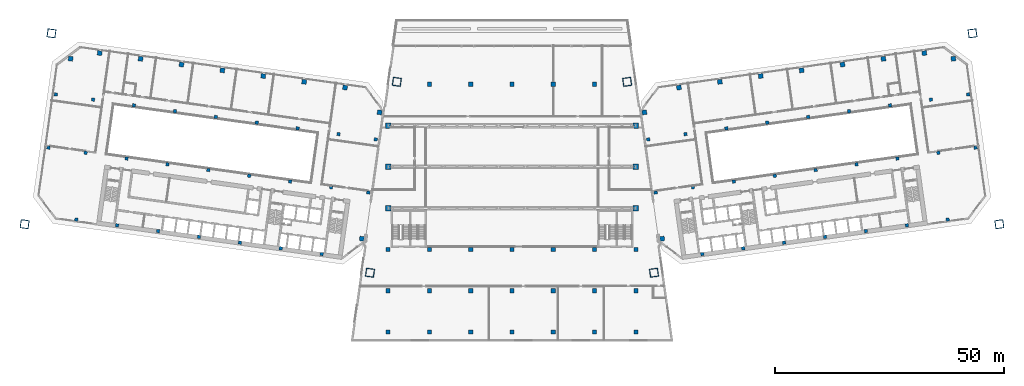
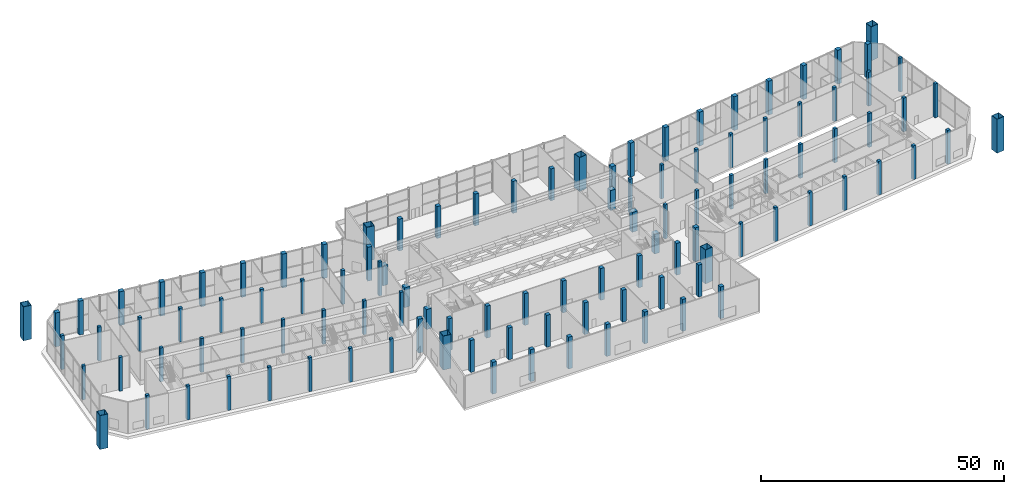
# One storey, part 1 of 31: 110 columns.
"""IFC4 building model written with IfcOpenShell, lengths in metres."""

from ifc_helpers import new_model, si_unit, direction, frame, origin, origin_2d, place, context, subcontext, project, spatial, rectangle, hollow_rectangle, extrude, material, material_profile, profile_set, type_object, element, save


model = new_model("IFC4")

# Units and contexts
model_context = context("Model", 3, precision=1e-05, world=origin(), true_north=direction((0.0, 1.0)))
body_context = subcontext(model_context, "Body", "Model", "MODEL_VIEW")
ifc_project = project(units=[si_unit("LENGTHUNIT", "METRE"), si_unit("AREAUNIT", "SQUARE_METRE"), si_unit("VOLUMEUNIT", "CUBIC_METRE"), si_unit("PLANEANGLEUNIT", "RADIAN"), si_unit("MASSUNIT", "GRAM", prefix="KILO")], contexts=[model_context])

# Site, building, storey
site_placement = place(None, origin())
site = spatial("IfcSite", under=ifc_project, at=site_placement, CompositionType="ELEMENT")
building_placement = place(site_placement, origin())
building = spatial("IfcBuilding", under=site, at=building_placement, Name="Mirante Cascada Hotel Towers", CompositionType="ELEMENT")
storey_placement = place(building_placement, frame((0.0, 0.0, 9.0)))
storey = spatial("IfcBuildingStorey", under=building, at=storey_placement, Name="L01", CompositionType="ELEMENT", Elevation=9.0)

# Columns
ifc_material_1 = material(Name="Steel ASTM A572 Gr 50", Category="steel")
ifc_material_profile_1 = material_profile(ifc_material_1, hollow_rectangle(XDim=1.8, YDim=1.8, WallThickness=0.08, at=origin_2d()), Name="Box column 1800x1800x80 ASTM A572 Gr 50")
ifc_profile_set_1 = profile_set([ifc_material_profile_1], Name="Steel ASTM A572 Gr 50")
column_type_1 = type_object("IfcColumnType", Name="Box column 1800x1800x80 ASTM A572 Gr 50", PredefinedType="COLUMN", material=ifc_profile_set_1)
for number, where, z_axis, x_axis, name in (
    (1, (-25.0968, 18.5173, 0.0), (0.0, 0.0, 1.0), (-0.9902681, 0.1391731, 0.0), "Mega column MC1 T1 L01"),
    (2, (-30.9421, -23.074, 0.0), (0.0, 0.0, 1.0), (-0.9902681, 0.1391731, 0.0), "Mega column MC2 T1 L01"),
    (3, (-100.3572, 29.0944, 0.0), (0.0, 0.0, 1.0), (-0.9902681, 0.1391731, 0.0), "Mega column MC3 T1 L01"),
    (4, (-106.2025, -12.4968, 0.0), (0.0, 0.0, 1.0), (-0.9902681, 0.1391731, 0.0), "Mega column MC4 T1 L01"),
    (5, (25.0968, 18.5173, 0.0), (0.0, 0.0, 1.0), (0.9902681, 0.1391731, 0.0), "Mega column MC1 T2 L01"),
    (6, (30.9421, -23.074, 0.0), (0.0, 0.0, 1.0), (0.9902681, 0.1391731, 0.0), "Mega column MC2 T2 L01"),
    (7, (100.3572, 29.0944, 0.0), (0.0, 0.0, 1.0), (0.9902681, 0.1391731, 0.0), "Mega column MC3 T2 L01"),
    (8, (106.2025, -12.4968, 0.0), (0.0, 0.0, 1.0), (0.9902681, 0.1391731, 0.0), "Mega column MC4 T2 L01"),
):
    element("IfcColumn", number, at=place(storey_placement, frame(where, z_axis=z_axis, x_axis=x_axis)), inside=storey, type_object=column_type_1, Name=name, PredefinedType="COLUMN", context=body_context, shape_type="SweptSolid", body=[
        extrude(hollow_rectangle(XDim=1.8, YDim=1.8, WallThickness=0.08, at=origin_2d()), origin(), (0.0, 0.0, 1.0), 8.5),
    ])
ifc_material_2 = material(Name="Concrete C50/60", Category="concrete")
ifc_material_profile_2 = material_profile(ifc_material_2, rectangle(XDim=1.2, YDim=1.2, at=origin_2d()), Name="RC 1200x1200")
ifc_profile_set_2 = profile_set([ifc_material_profile_2], Name="Concrete C50/60")
column_type_2 = type_object("IfcColumnType", Name="Column RC 1200x1200 C50/60", PredefinedType="COLUMN", material=ifc_profile_set_2)
for number, where, z_axis, x_axis, name in (
    (9, (-27.0, -9.0, 0.0), (0.0, 0.0, 1.0), (1.0, 0.0, 0.0), "col:P:L01:172"),
    (10, (27.0, -9.0, 0.0), (0.0, 0.0, 1.0), (1.0, 0.0, 0.0), "col:P:L01:215"),
    (11, (-27.0, 0.0, 0.0), (0.0, 0.0, 1.0), (1.0, 0.0, 0.0), "col:P:L01:223"),
    (12, (27.0, 0.0, 0.0), (0.0, 0.0, 1.0), (1.0, 0.0, 0.0), "col:P:L01:266"),
    (13, (-27.0, 9.0, 0.0), (0.0, 0.0, 1.0), (1.0, 0.0, 0.0), "col:P:L01:274"),
    (14, (27.0, 9.0, 0.0), (0.0, 0.0, 1.0), (1.0, 0.0, 0.0), "col:P:L01:305"),
):
    element("IfcColumn", number, at=place(storey_placement, frame(where, z_axis=z_axis, x_axis=x_axis)), inside=storey, type_object=column_type_2, Name=name, PredefinedType="COLUMN", context=body_context, shape_type="SweptSolid", body=[
        extrude(rectangle(XDim=1.2, YDim=1.2, at=origin_2d()), origin(), (0.0, 0.0, 1.0), 5.0),
    ])
ifc_material_3 = material(Name="Concrete C50/60", Category="concrete")
ifc_material_profile_3 = material_profile(ifc_material_3, rectangle(XDim=0.9, YDim=0.9, at=origin_2d()), Name="RC 900x900")
ifc_profile_set_3 = profile_set([ifc_material_profile_3], Name="Concrete C50/60")
column_type_3 = type_object("IfcColumnType", Name="Column RC 900x900 C50/60", PredefinedType="COLUMN", material=ifc_profile_set_3)
for number, where, z_axis, x_axis, name in (
    (15, (-27.0, -36.0, 0.0), (0.0, 0.0, 1.0), (1.0, 0.0, 0.0), "col:P:L01:4"),
    (16, (-18.0, -36.0, 0.0), (0.0, 0.0, 1.0), (1.0, 0.0, 0.0), "col:P:L01:12"),
    (17, (-9.0, -36.0, 0.0), (0.0, 0.0, 1.0), (1.0, 0.0, 0.0), "col:P:L01:20"),
    (18, (0.0, -36.0, 0.0), (0.0, 0.0, 1.0), (1.0, 0.0, 0.0), "col:P:L01:28"),
    (19, (9.0, -36.0, 0.0), (0.0, 0.0, 1.0), (1.0, 0.0, 0.0), "col:P:L01:36"),
    (20, (18.0, -36.0, 0.0), (0.0, 0.0, 1.0), (1.0, 0.0, 0.0), "col:P:L01:44"),
    (21, (27.0, -36.0, 0.0), (0.0, 0.0, 1.0), (1.0, 0.0, 0.0), "col:P:L01:52"),
    (22, (-27.0, -27.0, 0.0), (0.0, 0.0, 1.0), (1.0, 0.0, 0.0), "col:P:L01:60"),
    (23, (-18.0, -27.0, 0.0), (0.0, 0.0, 1.0), (1.0, 0.0, 0.0), "col:P:L01:68"),
    (24, (-9.0, -27.0, 0.0), (0.0, 0.0, 1.0), (1.0, 0.0, 0.0), "col:P:L01:76"),
    (25, (0.0, -27.0, 0.0), (0.0, 0.0, 1.0), (1.0, 0.0, 0.0), "col:P:L01:84"),
    (26, (9.0, -27.0, 0.0), (0.0, 0.0, 1.0), (1.0, 0.0, 0.0), "col:P:L01:92"),
    (27, (18.0, -27.0, 0.0), (0.0, 0.0, 1.0), (1.0, 0.0, 0.0), "col:P:L01:100"),
    (28, (27.0, -27.0, 0.0), (0.0, 0.0, 1.0), (1.0, 0.0, 0.0), "col:P:L01:108"),
    (29, (-27.0, -18.0, 0.0), (0.0, 0.0, 1.0), (1.0, 0.0, 0.0), "col:P:L01:116"),
    (30, (-18.0, -18.0, 0.0), (0.0, 0.0, 1.0), (1.0, 0.0, 0.0), "col:P:L01:124"),
    (31, (-9.0, -18.0, 0.0), (0.0, 0.0, 1.0), (1.0, 0.0, 0.0), "col:P:L01:132"),
    (32, (0.0, -18.0, 0.0), (0.0, 0.0, 1.0), (1.0, 0.0, 0.0), "col:P:L01:140"),
    (33, (9.0, -18.0, 0.0), (0.0, 0.0, 1.0), (1.0, 0.0, 0.0), "col:P:L01:148"),
    (34, (18.0, -18.0, 0.0), (0.0, 0.0, 1.0), (1.0, 0.0, 0.0), "col:P:L01:156"),
    (35, (27.0, -18.0, 0.0), (0.0, 0.0, 1.0), (1.0, 0.0, 0.0), "col:P:L01:164"),
    (36, (-18.0, 18.0, 0.0), (0.0, 0.0, 1.0), (1.0, 0.0, 0.0), "col:P:L01:311"),
    (37, (-9.0, 18.0, 0.0), (0.0, 0.0, 1.0), (1.0, 0.0, 0.0), "col:P:L01:316"),
    (38, (0.0, 18.0, 0.0), (0.0, 0.0, 1.0), (1.0, 0.0, 0.0), "col:P:L01:321"),
    (39, (9.0, 18.0, 0.0), (0.0, 0.0, 1.0), (1.0, 0.0, 0.0), "col:P:L01:326"),
    (40, (18.0, 18.0, 0.0), (0.0, 0.0, 1.0), (1.0, 0.0, 0.0), "col:P:L01:331"),
):
    element("IfcColumn", number, at=place(storey_placement, frame(where, z_axis=z_axis, x_axis=x_axis)), inside=storey, type_object=column_type_3, Name=name, PredefinedType="COLUMN", context=body_context, shape_type="SweptSolid", body=[
        extrude(rectangle(XDim=0.9, YDim=0.9, at=origin_2d()), origin(), (0.0, 0.0, 1.0), 8.0),
    ])
ifc_material_4 = material(Name="Concrete C60/75", Category="concrete")
ifc_material_profile_4 = material_profile(ifc_material_4, rectangle(XDim=1.0, YDim=1.0, at=origin_2d()), Name="RC column 1000x1000 C60/75")
ifc_profile_set_4 = profile_set([ifc_material_profile_4], Name="Concrete C60/75")
column_type_4 = type_object("IfcColumnType", Name="RC column 1000x1000 C60/75", PredefinedType="COLUMN", material=ifc_profile_set_4)
for number, where, z_axis, x_axis, name in (
    (41, (-28.8577, 11.8761, 0.0), (0.0, 0.0, 1.0), (-0.9902681, 0.1391731, 0.0), "Column T1 L01 1"),
    (42, (-32.7267, -15.6534, 0.0), (0.0, 0.0, 1.0), (-0.9902681, 0.1391731, 0.0), "Column T1 L01 4"),
    (43, (-36.3795, 17.2754, 0.0), (0.0, 0.0, 1.0), (-0.9902681, 0.1391731, 0.0), "Column T1 L01 5"),
    (44, (-45.2919, 18.528, 0.0), (0.0, 0.0, 1.0), (-0.9902681, 0.1391731, 0.0), "Column T1 L01 9"),
    (45, (-54.2043, 19.7806, 0.0), (0.0, 0.0, 1.0), (-0.9902681, 0.1391731, 0.0), "Column T1 L01 13"),
    (46, (-63.1167, 21.0331, 0.0), (0.0, 0.0, 1.0), (-0.9902681, 0.1391731, 0.0), "Column T1 L01 17"),
    (47, (-72.0291, 22.2857, 0.0), (0.0, 0.0, 1.0), (-0.9902681, 0.1391731, 0.0), "Column T1 L01 21"),
    (48, (-80.9415, 23.5382, 0.0), (0.0, 0.0, 1.0), (-0.9902681, 0.1391731, 0.0), "Column T1 L01 25"),
    (49, (-89.8539, 24.7908, 0.0), (0.0, 0.0, 1.0), (-0.9902681, 0.1391731, 0.0), "Column T1 L01 29"),
    (50, (-96.1868, 23.5602, 0.0), (0.0, 0.0, 1.0), (-0.9902681, 0.1391731, 0.0), "Column T1 L01 33"),
    (51, (28.8577, 11.8761, 0.0), (0.0, 0.0, 1.0), (0.9902681, 0.1391731, 0.0), "Column T2 L01 1"),
    (52, (32.7267, -15.6534, 0.0), (0.0, 0.0, 1.0), (0.9902681, 0.1391731, 0.0), "Column T2 L01 4"),
    (53, (36.3795, 17.2754, 0.0), (0.0, 0.0, 1.0), (0.9902681, 0.1391731, 0.0), "Column T2 L01 5"),
    (54, (45.2919, 18.528, 0.0), (0.0, 0.0, 1.0), (0.9902681, 0.1391731, 0.0), "Column T2 L01 9"),
    (55, (54.2043, 19.7806, 0.0), (0.0, 0.0, 1.0), (0.9902681, 0.1391731, 0.0), "Column T2 L01 13"),
    (56, (63.1167, 21.0331, 0.0), (0.0, 0.0, 1.0), (0.9902681, 0.1391731, 0.0), "Column T2 L01 17"),
    (57, (72.0291, 22.2857, 0.0), (0.0, 0.0, 1.0), (0.9902681, 0.1391731, 0.0), "Column T2 L01 21"),
    (58, (80.9415, 23.5382, 0.0), (0.0, 0.0, 1.0), (0.9902681, 0.1391731, 0.0), "Column T2 L01 25"),
    (59, (89.8539, 24.7908, 0.0), (0.0, 0.0, 1.0), (0.9902681, 0.1391731, 0.0), "Column T2 L01 29"),
    (60, (96.1868, 23.5602, 0.0), (0.0, 0.0, 1.0), (0.9902681, 0.1391731, 0.0), "Column T2 L01 33"),
):
    element("IfcColumn", number, at=place(storey_placement, frame(where, z_axis=z_axis, x_axis=x_axis)), inside=storey, type_object=column_type_4, Name=name, PredefinedType="COLUMN", context=body_context, shape_type="SweptSolid", body=[
        extrude(rectangle(XDim=1.0, YDim=1.0, at=origin_2d()), origin(), (0.0, 0.0, 1.0), 8.5),
    ])
ifc_material_5 = material(Name="Concrete C60/75", Category="concrete")
ifc_material_profile_5 = material_profile(ifc_material_5, rectangle(XDim=0.7, YDim=0.7, at=origin_2d()), Name="RC column 700x700 C60/75")
ifc_profile_set_5 = profile_set([ifc_material_profile_5], Name="Concrete C60/75")
column_type_5 = type_object("IfcColumnType", Name="RC column 700x700 C60/75", PredefinedType="COLUMN", material=ifc_profile_set_5)
for number, where, z_axis, x_axis, name in (
    (61, (-29.6858, 5.984, 0.0), (0.0, 0.0, 1.0), (-0.9902681, 0.1391731, 0.0), "Column T1 L01 2"),
    (62, (-31.3141, -5.6022, 0.0), (0.0, 0.0, 1.0), (-0.9902681, 0.1391731, 0.0), "Column T1 L01 3"),
    (63, (-37.806, 7.1252, 0.0), (0.0, 0.0, 1.0), (-0.9902681, 0.1391731, 0.0), "Column T1 L01 6"),
    (64, (-39.4343, -4.4609, 0.0), (0.0, 0.0, 1.0), (-0.9902681, 0.1391731, 0.0), "Column T1 L01 7"),
    (65, (-41.4802, -19.0179, 0.0), (0.0, 0.0, 1.0), (-0.9902681, 0.1391731, 0.0), "Column T1 L01 8"),
    (66, (-46.7184, 8.3777, 0.0), (0.0, 0.0, 1.0), (-0.9902681, 0.1391731, 0.0), "Column T1 L01 10"),
    (67, (-48.3467, -3.2084, 0.0), (0.0, 0.0, 1.0), (-0.9902681, 0.1391731, 0.0), "Column T1 L01 11"),
    (68, (-50.3926, -17.7653, 0.0), (0.0, 0.0, 1.0), (-0.9902681, 0.1391731, 0.0), "Column T1 L01 12"),
    (69, (-55.6308, 9.6303, 0.0), (0.0, 0.0, 1.0), (-0.9902681, 0.1391731, 0.0), "Column T1 L01 14"),
    (70, (-57.2591, -1.9558, 0.0), (0.0, 0.0, 1.0), (-0.9902681, 0.1391731, 0.0), "Column T1 L01 15"),
    (71, (-59.305, -16.5128, 0.0), (0.0, 0.0, 1.0), (-0.9902681, 0.1391731, 0.0), "Column T1 L01 16"),
    (72, (-64.5432, 10.8829, 0.0), (0.0, 0.0, 1.0), (-0.9902681, 0.1391731, 0.0), "Column T1 L01 18"),
    (73, (-66.1716, -0.7033, 0.0), (0.0, 0.0, 1.0), (-0.9902681, 0.1391731, 0.0), "Column T1 L01 19"),
    (74, (-68.2174, -15.2602, 0.0), (0.0, 0.0, 1.0), (-0.9902681, 0.1391731, 0.0), "Column T1 L01 20"),
    (75, (-73.4556, 12.1354, 0.0), (0.0, 0.0, 1.0), (-0.9902681, 0.1391731, 0.0), "Column T1 L01 22"),
    (76, (-75.084, 0.5493, 0.0), (0.0, 0.0, 1.0), (-0.9902681, 0.1391731, 0.0), "Column T1 L01 23"),
    (77, (-77.1298, -14.0077, 0.0), (0.0, 0.0, 1.0), (-0.9902681, 0.1391731, 0.0), "Column T1 L01 24"),
    (78, (-82.368, 13.388, 0.0), (0.0, 0.0, 1.0), (-0.9902681, 0.1391731, 0.0), "Column T1 L01 26"),
    (79, (-83.9964, 1.8018, 0.0), (0.0, 0.0, 1.0), (-0.9902681, 0.1391731, 0.0), "Column T1 L01 27"),
    (80, (-86.0422, -12.7551, 0.0), (0.0, 0.0, 1.0), (-0.9902681, 0.1391731, 0.0), "Column T1 L01 28"),
    (81, (-91.2805, 14.6405, 0.0), (0.0, 0.0, 1.0), (-0.9902681, 0.1391731, 0.0), "Column T1 L01 30"),
    (82, (-92.9088, 3.0544, 0.0), (0.0, 0.0, 1.0), (-0.9902681, 0.1391731, 0.0), "Column T1 L01 31"),
    (83, (-94.9546, -11.5025, 0.0), (0.0, 0.0, 1.0), (-0.9902681, 0.1391731, 0.0), "Column T1 L01 32"),
    (84, (-99.4007, 15.7818, 0.0), (0.0, 0.0, 1.0), (-0.9902681, 0.1391731, 0.0), "Column T1 L01 34"),
    (85, (-101.029, 4.1956, 0.0), (0.0, 0.0, 1.0), (-0.9902681, 0.1391731, 0.0), "Column T1 L01 35"),
    (86, (29.6858, 5.984, 0.0), (0.0, 0.0, 1.0), (0.9902681, 0.1391731, 0.0), "Column T2 L01 2"),
    (87, (31.3141, -5.6022, 0.0), (0.0, 0.0, 1.0), (0.9902681, 0.1391731, 0.0), "Column T2 L01 3"),
    (88, (37.806, 7.1252, 0.0), (0.0, 0.0, 1.0), (0.9902681, 0.1391731, 0.0), "Column T2 L01 6"),
    (89, (39.4343, -4.4609, 0.0), (0.0, 0.0, 1.0), (0.9902681, 0.1391731, 0.0), "Column T2 L01 7"),
    (90, (41.4802, -19.0179, 0.0), (0.0, 0.0, 1.0), (0.9902681, 0.1391731, 0.0), "Column T2 L01 8"),
    (91, (46.7184, 8.3777, 0.0), (0.0, 0.0, 1.0), (0.9902681, 0.1391731, 0.0), "Column T2 L01 10"),
    (92, (48.3467, -3.2084, 0.0), (0.0, 0.0, 1.0), (0.9902681, 0.1391731, 0.0), "Column T2 L01 11"),
    (93, (50.3926, -17.7653, 0.0), (0.0, 0.0, 1.0), (0.9902681, 0.1391731, 0.0), "Column T2 L01 12"),
    (94, (55.6308, 9.6303, 0.0), (0.0, 0.0, 1.0), (0.9902681, 0.1391731, 0.0), "Column T2 L01 14"),
    (95, (57.2591, -1.9558, 0.0), (0.0, 0.0, 1.0), (0.9902681, 0.1391731, 0.0), "Column T2 L01 15"),
    (96, (59.305, -16.5128, 0.0), (0.0, 0.0, 1.0), (0.9902681, 0.1391731, 0.0), "Column T2 L01 16"),
    (97, (64.5432, 10.8829, 0.0), (0.0, 0.0, 1.0), (0.9902681, 0.1391731, 0.0), "Column T2 L01 18"),
    (98, (66.1716, -0.7033, 0.0), (0.0, 0.0, 1.0), (0.9902681, 0.1391731, 0.0), "Column T2 L01 19"),
    (99, (68.2174, -15.2602, 0.0), (0.0, 0.0, 1.0), (0.9902681, 0.1391731, 0.0), "Column T2 L01 20"),
    (100, (73.4556, 12.1354, 0.0), (0.0, 0.0, 1.0), (0.9902681, 0.1391731, 0.0), "Column T2 L01 22"),
    (101, (75.084, 0.5493, 0.0), (0.0, 0.0, 1.0), (0.9902681, 0.1391731, 0.0), "Column T2 L01 23"),
    (102, (77.1298, -14.0077, 0.0), (0.0, 0.0, 1.0), (0.9902681, 0.1391731, 0.0), "Column T2 L01 24"),
    (103, (82.368, 13.388, 0.0), (0.0, 0.0, 1.0), (0.9902681, 0.1391731, 0.0), "Column T2 L01 26"),
    (104, (83.9964, 1.8018, 0.0), (0.0, 0.0, 1.0), (0.9902681, 0.1391731, 0.0), "Column T2 L01 27"),
    (105, (86.0422, -12.7551, 0.0), (0.0, 0.0, 1.0), (0.9902681, 0.1391731, 0.0), "Column T2 L01 28"),
    (106, (91.2805, 14.6405, 0.0), (0.0, 0.0, 1.0), (0.9902681, 0.1391731, 0.0), "Column T2 L01 30"),
    (107, (92.9088, 3.0544, 0.0), (0.0, 0.0, 1.0), (0.9902681, 0.1391731, 0.0), "Column T2 L01 31"),
    (108, (94.9546, -11.5025, 0.0), (0.0, 0.0, 1.0), (0.9902681, 0.1391731, 0.0), "Column T2 L01 32"),
    (109, (99.4007, 15.7818, 0.0), (0.0, 0.0, 1.0), (0.9902681, 0.1391731, 0.0), "Column T2 L01 34"),
    (110, (101.029, 4.1956, 0.0), (0.0, 0.0, 1.0), (0.9902681, 0.1391731, 0.0), "Column T2 L01 35"),
):
    element("IfcColumn", number, at=place(storey_placement, frame(where, z_axis=z_axis, x_axis=x_axis)), inside=storey, type_object=column_type_5, Name=name, PredefinedType="COLUMN", context=body_context, shape_type="SweptSolid", body=[
        extrude(rectangle(XDim=0.7, YDim=0.7, at=origin_2d()), origin(), (0.0, 0.0, 1.0), 8.5),
    ])

save(model, "model.ifc")
